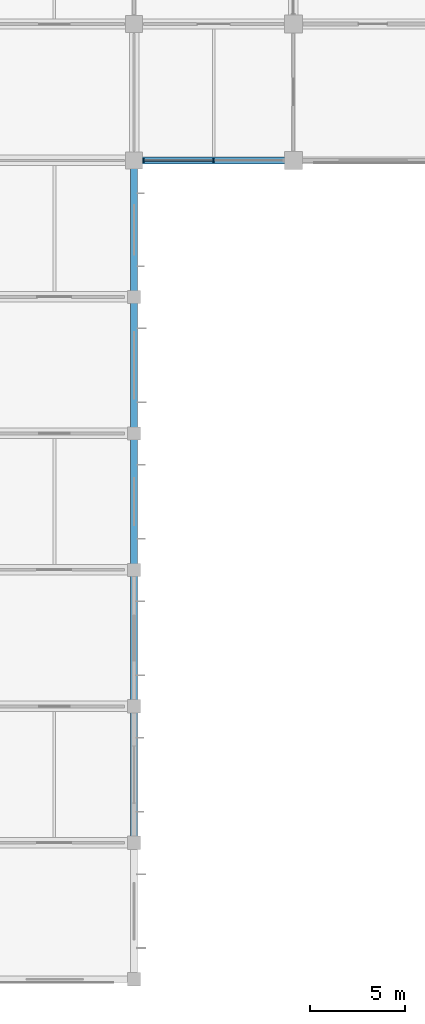
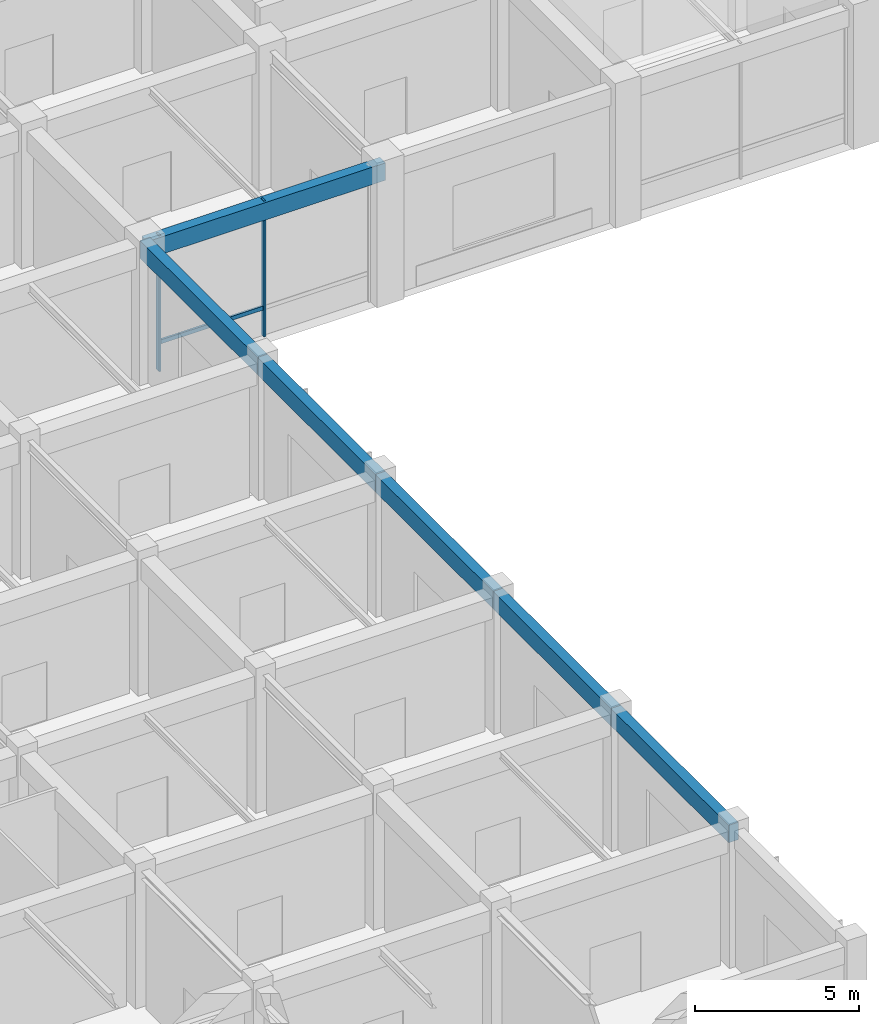
# One storey, part 6 of 41: 6 beams, 3 members, 1 element without a shape of its own.
"""IFC4 building model written with IfcOpenShell, lengths in metres."""

from ifc_helpers import new_model, si_unit, derived_unit, direction, frame, origin, origin_2d, place, context, subcontext, project, spatial, rectangle, extrude, material, material_profile, profile_set, type_object, element, aggregate, save


model = new_model("IFC4")

# Units and contexts
model_context = context("Model", 3, precision=1e-05, world=origin(), true_north=direction((0.0, 1.0)))
body_context = subcontext(model_context, "Body", "Model", "MODEL_VIEW")
ifc_project = project(units=[si_unit("LENGTHUNIT", "METRE"), si_unit("AREAUNIT", "SQUARE_METRE"), si_unit("VOLUMEUNIT", "CUBIC_METRE"), si_unit("PLANEANGLEUNIT", "RADIAN"), si_unit("MASSUNIT", "GRAM", prefix="KILO"), derived_unit("THERMALTRANSMITTANCEUNIT", [(si_unit("MASSUNIT", "GRAM", prefix="KILO"), 1), (si_unit("TIMEUNIT", "SECOND"), -3), (si_unit("THERMODYNAMICTEMPERATUREUNIT", "KELVIN"), -1)])], contexts=[model_context])

# Site, building, storey
site_placement = place(None, origin())
site = spatial("IfcSite", under=ifc_project, at=site_placement, CompositionType="ELEMENT")
building_placement = place(site_placement, origin())
building = spatial("IfcBuilding", under=site, at=building_placement, Name="Veldstrom Oceanarium and Marine Research Institute", CompositionType="ELEMENT")
storey_placement = place(building_placement, frame((0.0, 0.0, 6.0)))
storey = spatial("IfcBuildingStorey", under=building, at=storey_placement, Name="L01", CompositionType="ELEMENT", Elevation=6.0)

# Curtain wall, members
ifc_material_1 = material(Name="Anodised Aluminium Framing", Category="aluminium")
curtain_wall_type = type_object("IfcCurtainWallType", Name="ARC-CW-CW02", PredefinedType="USERDEFINED", material=ifc_material_1)
curtain_wall_placement = place(storey_placement, origin())
curtain_wall = element("IfcCurtainWall", 1, at=curtain_wall_placement, inside=storey, type_object=curtain_wall_type, Name="Curtain Wall CW02 CW-L01-008", ObjectType="Curtain wall", PredefinedType="USERDEFINED")
ifc_material_2 = material(Name="Anodised Aluminium Framing", Category="aluminium")
ifc_material_profile_1 = material_profile(ifc_material_2, rectangle(XDim=0.074951171875, YDim=0.179931640625, at=origin_2d()), Name="ALU-MUL-75x180")
ifc_profile_set_1 = profile_set([ifc_material_profile_1], Name="Anodised Aluminium Framing")
member_type_1 = type_object("IfcMemberType", Name="ARC-MUL-ML1", PredefinedType="MULLION", material=ifc_profile_set_1)
member_1_placement = place(storey_placement, frame((67.68994140625, 43.199951171875, 0.0), z_axis=(0.0, 0.0, 1.0), x_axis=(1.0, 0.0, 0.0)))
member_1 = element("IfcMember", 2, at=member_1_placement, type_object=member_type_1, Name="Curtain Wall Mullion CW-L01-008-MUL-1", PredefinedType="MULLION", context=body_context, shape_type="SweptSolid", body=[
    extrude(rectangle(XDim=0.074951171875, YDim=0.179931640625, at=origin_2d()), origin(), (0.0, 0.0, 1.0), 5.074951171875),
])
member_2_placement = place(storey_placement, frame((71.387451171875, 43.199951171875, 0.0), z_axis=(0.0, 0.0, 1.0), x_axis=(1.0, 0.0, 0.0)))
member_2 = element("IfcMember", 3, at=member_2_placement, type_object=member_type_1, Name="Curtain Wall Mullion CW-L01-008-MUL-2", PredefinedType="MULLION", context=body_context, shape_type="SweptSolid", body=[
    extrude(rectangle(XDim=0.074951171875, YDim=0.179931640625, at=origin_2d()), origin(), (0.0, 0.0, 1.0), 5.074951171875),
])
ifc_material_3 = material(Name="Anodised Aluminium Framing", Category="aluminium")
ifc_material_profile_2 = material_profile(ifc_material_3, rectangle(XDim=0.074951171875, YDim=0.14990234375, at=origin_2d()), Name="ALU-TRN-75x150")
ifc_profile_set_2 = profile_set([ifc_material_profile_2], Name="Anodised Aluminium Framing")
member_type_2 = type_object("IfcMemberType", Name="ARC-TRN-TR1", PredefinedType="USERDEFINED", material=ifc_profile_set_2)
member_3_placement = place(storey_placement, frame((67.72998046875, 43.199951171875, 1.050048828125), z_axis=(1.0, 0.0, 0.0), x_axis=(0.0, 1.0, 0.0)))
member_3 = element("IfcMember", 4, at=member_3_placement, type_object=member_type_2, Name="Curtain Wall Transom CW-L01-008-TRN-1", ObjectType="Transom", PredefinedType="USERDEFINED", context=body_context, shape_type="SweptSolid", body=[
    extrude(rectangle(XDim=0.074951171875, YDim=0.14990234375, at=origin_2d()), origin(), (0.0, 0.0, 1.0), 3.617431640625),
])
aggregate(curtain_wall, [member_1, member_2, member_3])

# Beams
ifc_material_4 = material(Name="Concrete C40/50", Category="concrete")
ifc_material_profile_3 = material_profile(ifc_material_4, rectangle(XDim=0.35009765625, YDim=0.64990234375, at=origin_2d()), Name="RC-SPN-350x650")
ifc_profile_set_3 = profile_set([ifc_material_profile_3], Name="Concrete C40/50")
beam_type = type_object("IfcBeamType", Name="STR-SPN-SP1", PredefinedType="SPANDREL", material=ifc_profile_set_3)
beam_1_placement = place(storey_placement, frame((67.199951171875, 43.199951171875, 4.7451171875), z_axis=(1.0, 0.0, 0.0), x_axis=(0.0, 1.0, 0.0)))
element("IfcBeam", 5, at=beam_1_placement, inside=storey, type_object=beam_type, Name="Perimeter Spandrel SPB1 L01-1207", PredefinedType="SPANDREL", context=body_context, shape_type="SweptSolid", body=[
    extrude(rectangle(XDim=0.35009765625, YDim=0.64990234375, at=origin_2d()), origin(), (0.0, 0.0, 1.0), 8.400146484375),
])
beam_2_placement = place(storey_placement, frame((67.199951171875, 7.199951171875, 4.7451171875), z_axis=(0.0, 1.0, 0.0), x_axis=(-1.0, 0.0, 0.0)))
element("IfcBeam", 6, at=beam_2_placement, inside=storey, type_object=beam_type, Name="Perimeter Spandrel SPB1 L01-1354", PredefinedType="SPANDREL", context=body_context, shape_type="SweptSolid", body=[
    extrude(rectangle(XDim=0.35009765625, YDim=0.64990234375, at=origin_2d()), origin(), (0.0, 0.0, 1.0), 7.199951171875),
])
beam_3_placement = place(storey_placement, frame((67.199951171875, 14.39990234375, 4.7451171875), z_axis=(0.0, 1.0, 0.0), x_axis=(-1.0, 0.0, 0.0)))
element("IfcBeam", 7, at=beam_3_placement, inside=storey, type_object=beam_type, Name="Perimeter Spandrel SPB1 L01-1355", PredefinedType="SPANDREL", context=body_context, shape_type="SweptSolid", body=[
    extrude(rectangle(XDim=0.35009765625, YDim=0.64990234375, at=origin_2d()), origin(), (0.0, 0.0, 1.0), 7.2001953125),
])
for number, where, z_axis, x_axis, name in (
    (8, (67.199951171875, 21.60009765625, 4.7451171875), (0.0, 1.0, 0.0), (-1.0, 0.0, 0.0), "Perimeter Spandrel SPB1 L01-1356"),
    (9, (67.199951171875, 28.800048828125, 4.7451171875), (0.0, 1.0, 0.0), (-1.0, 0.0, 0.0), "Perimeter Spandrel SPB1 L01-1357"),
    (10, (67.199951171875, 36.0, 4.7451171875), (0.0, 1.0, 0.0), (-1.0, 0.0, 0.0), "Perimeter Spandrel SPB1 L01-1358"),
):
    element("IfcBeam", number, at=place(storey_placement, frame(where, z_axis=z_axis, x_axis=x_axis)), inside=storey, type_object=beam_type, Name=name, PredefinedType="SPANDREL", context=body_context, shape_type="SweptSolid", body=[
        extrude(rectangle(XDim=0.35009765625, YDim=0.64990234375, at=origin_2d()), origin(), (0.0, 0.0, 1.0), 7.199951171875),
    ])

save(model, "model.ifc")
